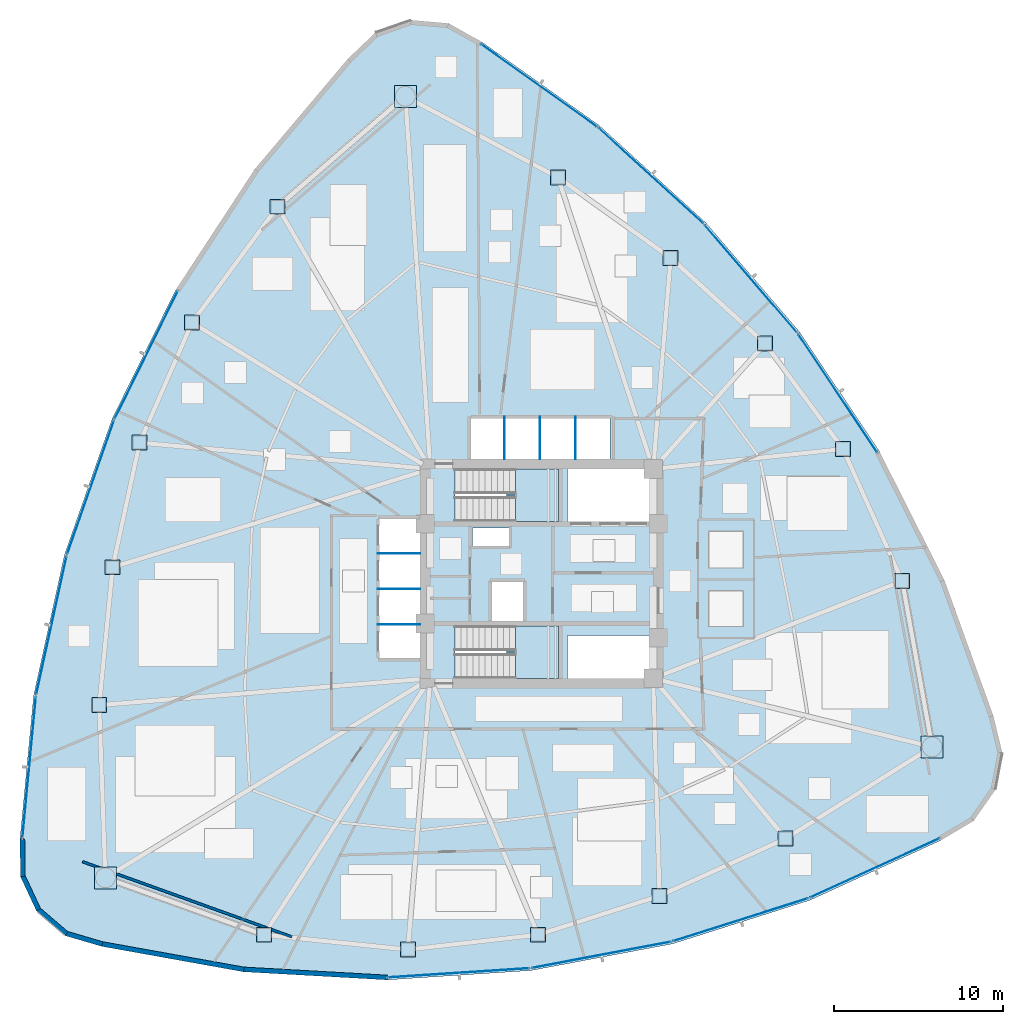
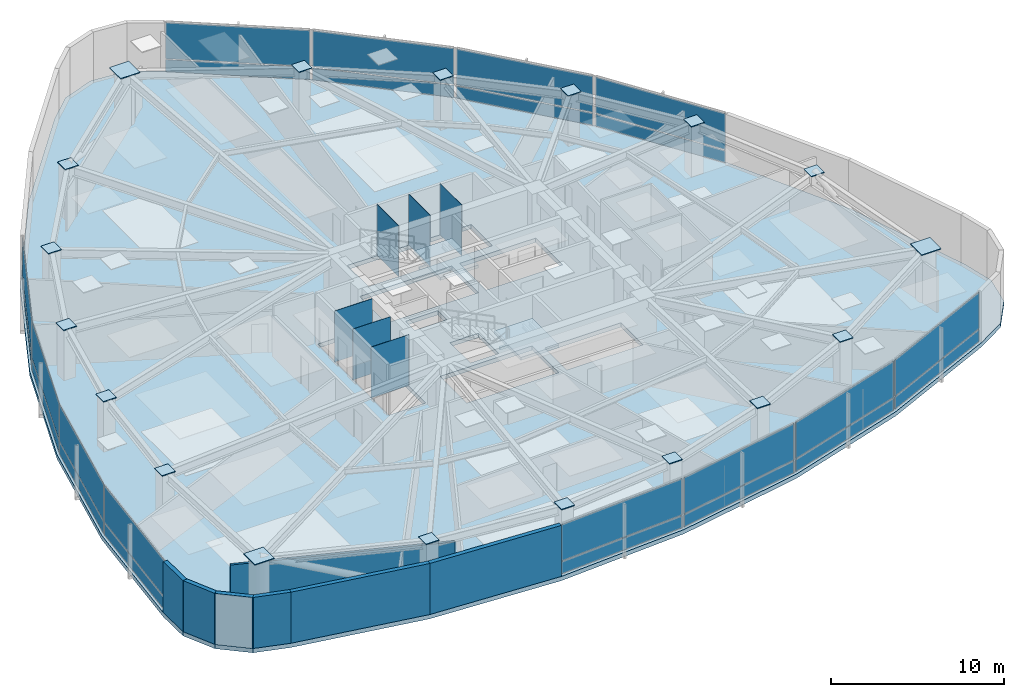
# One storey, part 11 of 18: 48 plates, 7 walls, 3 slabs, 14 elements without a shape of their own.
"""IFC4 building model written with IfcOpenShell, lengths in metres."""

import ifcopenshell
import ifcopenshell.guid

model = None  # the IFC model being written
_history = None  # IfcOwnerHistory: only IFC2X3 demands one
_inside = {}  # id of a spatial element -> (the spatial element, [elements in it])
_under = {}  # id of a project, library or spatial element -> (it, [spatial elements below it])
_declared = {}  # id of a project -> (the project, [libraries it declares])
_typed = {}  # id of a type object -> (the type object, [elements of that type])
_made_of = {}  # id of a material, layer set ... -> (it, [elements and type objects made of it])


def new_model(schema):
    """Start an empty IFC model of exactly this schema.

    Asked for "IFC4X3", IfcOpenShell would pick the latest addendum, in which some entities
    have other attributes; the version numbers below select the first issue.
    IFC2X3 requires an IfcOwnerHistory on every rooted entity: one is made here for all.
    """
    global model, _history
    if schema == "IFC4X3":
        model = ifcopenshell.file(schema_version=(4, 3, 0, 0))
    else:
        model = ifcopenshell.file(schema=schema)
    _inside.clear()
    _under.clear()
    _declared.clear()
    _typed.clear()
    _made_of.clear()
    _history = None
    if model.schema == "IFC2X3":
        org = make("IfcOrganization", Name="unknown")
        user = make(
            "IfcPersonAndOrganization",
            ThePerson=make("IfcPerson", FamilyName="unknown"),
            TheOrganization=org,
        )
        app = make(
            "IfcApplication",
            ApplicationDeveloper=org,
            Version="unknown",
            ApplicationFullName="unknown",
            ApplicationIdentifier="unknown",
        )
        _history = make(
            "IfcOwnerHistory",
            OwningUser=user,
            OwningApplication=app,
            ChangeAction="ADDED",
            CreationDate=0,
        )
    return model


def make(cls, **values):
    """One entity of the class cls with the attributes given. An attribute that is None is left unset."""
    return model.create_entity(
        cls, **{name: value for name, value in values.items() if value is not None}
    )


def rooted(cls, **values):
    """An entity with a GlobalId (a new one), such as an element, a storey or a relation."""
    return make(cls, GlobalId=ifcopenshell.guid.new(), OwnerHistory=_history, **values)


def si_unit(unit_type, name, prefix=None):
    """IfcSIUnit, for example si_unit("LENGTHUNIT", "METRE", prefix="MILLI")."""
    return make("IfcSIUnit", UnitType=unit_type, Prefix=prefix, Name=name)


def assignment(units):
    """IfcUnitAssignment: the units of a project."""
    return None if units is None else make("IfcUnitAssignment", Units=units)


def point(xyz):
    """IfcCartesianPoint."""
    return None if xyz is None else make("IfcCartesianPoint", Coordinates=xyz)


def direction(xyz):
    """IfcDirection."""
    return None if xyz is None else make("IfcDirection", DirectionRatios=xyz)


def frame(location, z_axis=None, x_axis=None):
    """IfcAxis2Placement3D, a coordinate frame: its origin and axes. An axis left out is left unset."""
    return make(
        "IfcAxis2Placement3D",
        Location=point(location),
        Axis=direction(z_axis),
        RefDirection=direction(x_axis),
    )


def frame_2d(location, x_axis=None):
    """IfcAxis2Placement2D, a coordinate frame in the plane: its origin and x axis."""
    return make(
        "IfcAxis2Placement2D", Location=point(location), RefDirection=direction(x_axis)
    )


def origin():
    """The frame at (0, 0, 0) with its axes left unset."""
    return frame((0.0, 0.0, 0.0))


def origin_2d():
    """The frame at (0, 0) in the plane with its x axis left unset."""
    return frame_2d((0.0, 0.0))


def place(relative_to, where):
    """IfcLocalPlacement: puts the frame where relative to a parent placement (None: the world)."""
    return make(
        "IfcLocalPlacement", PlacementRelTo=relative_to, RelativePlacement=where
    )


def context(
    kind, dimensions, precision=None, world=None, true_north=None, identifier=None
):
    """IfcGeometricRepresentationContext, for example the 3D "Model" context."""
    return make(
        "IfcGeometricRepresentationContext",
        ContextIdentifier=identifier,
        ContextType=kind,
        CoordinateSpaceDimension=dimensions,
        Precision=precision,
        WorldCoordinateSystem=world,
        TrueNorth=true_north,
    )


def subcontext(parent, identifier, kind, view, scale=None):
    """IfcGeometricRepresentationSubContext, for example "Body" below "Model"."""
    return make(
        "IfcGeometricRepresentationSubContext",
        ContextIdentifier=identifier,
        ContextType=kind,
        ParentContext=parent,
        TargetScale=scale,
        TargetView=view,
    )


def project(units=None, contexts=None):
    """IfcProject with its units and contexts."""
    return rooted(
        "IfcProject",
        Name="project",
        RepresentationContexts=contexts,
        UnitsInContext=assignment(units),
    )


def spatial(cls, under=None, at=None, **own):
    """A site, building, storey or space (cls), placed at a placement, below another one or the project."""
    s = rooted(cls, ObjectPlacement=at, **own)
    if under is not None:
        _under.setdefault(under.id(), (under, []))[1].append(s)
    return s


def polyline(points):
    """IfcPolyline through the points."""
    return make("IfcPolyline", Points=[point(p) for p in points])


def profile(cls, at=None, kind="AREA", **sizes):
    """A parametric profile (cls). Its sizes go by their IFC names, for example OverallWidth=200.0."""
    return make(cls, ProfileType=kind, Position=at, **sizes)


def rectangle(**sizes):
    """IfcRectangleProfileDef."""
    return profile("IfcRectangleProfileDef", **sizes)


def outline(outer, holes=None, kind="AREA"):
    """IfcArbitraryClosedProfileDef: a profile drawn as a closed curve; with holes, ...WithVoids."""
    if holes is None:
        return make("IfcArbitraryClosedProfileDef", ProfileType=kind, OuterCurve=outer)
    return make(
        "IfcArbitraryProfileDefWithVoids",
        ProfileType=kind,
        OuterCurve=outer,
        InnerCurves=holes,
    )


def extrude(swept, where, along, depth):
    """IfcExtrudedAreaSolid: the profile swept, set in the frame where, extruded along a direction by depth."""
    return make(
        "IfcExtrudedAreaSolid",
        SweptArea=swept,
        Position=where,
        ExtrudedDirection=direction(along),
        Depth=depth,
    )


def shape(context_of_items, identifier, shape_type, items):
    """IfcShapeRepresentation: the items that make up one representation, for example the "Body"."""
    return make(
        "IfcShapeRepresentation",
        ContextOfItems=context_of_items,
        RepresentationIdentifier=identifier,
        RepresentationType=shape_type,
        Items=items,
    )


def source(mapping_origin, context_of_items, identifier, shape_type, items):
    """IfcRepresentationMap: a shape defined once, which mapped items show again and again."""
    return make(
        "IfcRepresentationMap",
        MappingOrigin=mapping_origin,
        MappedRepresentation=shape(context_of_items, identifier, shape_type, items),
    )


def transform(
    local_origin,
    x_axis=None,
    y_axis=None,
    z_axis=None,
    scale=None,
    scale2=None,
    scale3=None,
    uniform=True,
):
    """IfcCartesianTransformationOperator3D, or its non-uniform kind. x_axis, y_axis, z_axis: its Axis1, 2, 3."""
    if uniform:
        return make(
            "IfcCartesianTransformationOperator3D",
            Axis1=direction(x_axis),
            Axis2=direction(y_axis),
            LocalOrigin=point(local_origin),
            Scale=scale,
            Axis3=direction(z_axis),
        )
    return make(
        "IfcCartesianTransformationOperator3DnonUniform",
        Axis1=direction(x_axis),
        Axis2=direction(y_axis),
        LocalOrigin=point(local_origin),
        Scale=scale,
        Axis3=direction(z_axis),
        Scale2=scale2,
        Scale3=scale3,
    )


def mapped(mapping_source, mapping_target):
    """IfcMappedItem: shows the shape of a source again, moved by a transform."""
    return make(
        "IfcMappedItem", MappingSource=mapping_source, MappingTarget=mapping_target
    )


def material(Name=None, Category=None):
    """IfcMaterial."""
    return make("IfcMaterial", Name=Name, Category=Category)


def layer(
    of_material, thickness, ventilated=None, Name=None, Category=None, Priority=None
):
    """IfcMaterialLayer: one layer of a wall or slab, of a material (None: an air gap)."""
    return make(
        "IfcMaterialLayer",
        Material=of_material,
        LayerThickness=thickness,
        IsVentilated=ventilated,
        Name=Name,
        Category=Category,
        Priority=Priority,
    )


def layer_set(layers, Name=None):
    """IfcMaterialLayerSet."""
    return make("IfcMaterialLayerSet", MaterialLayers=layers, LayerSetName=Name)


def made_of(thing, what):
    """Note that an element or type object is made of a material, layer set ...; save() writes the relation."""
    if what is not None:
        _made_of.setdefault(what.id(), (what, []))[1].append(thing)
    return thing


def type_object(cls, material=None, **own):
    """A type object (cls), such as IfcWallType, which elements share."""
    return made_of(rooted(cls, **own), material)


def type_shapes(of_type, sources):
    """Give a type object the sources (RepresentationMaps) that its elements show as mapped items."""
    of_type.RepresentationMaps = sources


def element(
    cls,
    number,
    at=None,
    inside=None,
    cuts=None,
    type_object=None,
    material=None,
    context=None,
    identifier="Body",
    shape_type=None,
    held_by="IfcProductDefinitionShape",
    body=None,
    shapes=None,
    **own,
):
    """One element of the class cls, such as IfcWall. Its Tag is "e" and its number.

    at: its placement. inside: the storey or other place that contains it. cuts: it is an
    opening in that element (IfcRelVoidsElement). A single representation is given by context,
    identifier, shape_type and body (its items); several are given by shapes. held_by: the class
    of the entity that holds the representations. save() writes the other relations.
    """
    e = rooted(cls, Tag="e%d" % number, ObjectPlacement=at, **own)
    if body is not None:
        shapes = [shape(context, identifier, shape_type, body)]
    if shapes is not None:
        e.Representation = make(held_by, Representations=shapes)
    if inside is not None:
        _inside.setdefault(inside.id(), (inside, []))[1].append(e)
    if cuts is not None:
        rooted(
            "IfcRelVoidsElement", RelatingBuildingElement=cuts, RelatedOpeningElement=e
        )
    if type_object is not None:
        _typed.setdefault(type_object.id(), (type_object, []))[1].append(e)
    return made_of(e, material)


def aggregate(whole, parts):
    """IfcRelAggregates: a whole, such as a stair, and the parts it consists of."""
    return rooted("IfcRelAggregates", RelatingObject=whole, RelatedObjects=parts)


def save(model, path):
    """Write the relations noted so far, then the file.

    IfcRelAggregates (storeys below a building ...), IfcRelContainedInSpatialStructure (elements
    in a storey), IfcRelDefinesByType, IfcRelAssociatesMaterial and IfcRelDeclares: one each for
    every whole, place, type object, material and project.
    """
    for whole, parts in _under.values():
        aggregate(whole, parts)
    for where, things in _inside.values():
        rooted(
            "IfcRelContainedInSpatialStructure",
            RelatedElements=things,
            RelatingStructure=where,
        )
    for kind, things in _typed.values():
        rooted("IfcRelDefinesByType", RelatedObjects=things, RelatingType=kind)
    for what, things in _made_of.values():
        rooted("IfcRelAssociatesMaterial", RelatedObjects=things, RelatingMaterial=what)
    for by, libraries in _declared.values():
        rooted("IfcRelDeclares", RelatingContext=by, RelatedDefinitions=libraries)
    model.write(path)


model = new_model("IFC4")

# Units and contexts
model_context = context("Model", 3, precision=1e-05, world=origin(), true_north=direction((0.0, 1.0)))
body_context = subcontext(model_context, "Body", "Model", "MODEL_VIEW")
ifc_project = project(units=[si_unit("LENGTHUNIT", "METRE"), si_unit("AREAUNIT", "SQUARE_METRE"), si_unit("VOLUMEUNIT", "CUBIC_METRE"), si_unit("PLANEANGLEUNIT", "RADIAN"), si_unit("MASSUNIT", "GRAM", prefix="KILO")], contexts=[model_context])

# Site, building, storey
site_placement = place(None, origin())
site = spatial("IfcSite", under=ifc_project, at=site_placement, CompositionType="ELEMENT")
building_placement = place(site_placement, origin())
building = spatial("IfcBuilding", under=site, at=building_placement, Name="Tavelor Broadcast Tower", CompositionType="ELEMENT")
storey_placement = place(building_placement, frame((0.0, 0.0, 54.89990234375)))
storey = spatial("IfcBuildingStorey", under=building, at=storey_placement, Name="L12", CompositionType="ELEMENT", Elevation=54.89990234375)

# Stair, slab
ifc_material_1 = material(Name="Concrete C40/50", Category="concrete")
stair_type = type_object("IfcStairType", Name="Reinforced Concrete Protected Dogleg Stair 1450 mm", PredefinedType="HALF_TURN_STAIR", material=ifc_material_1)
stair_1_placement = place(storey_placement, origin())
stair_1 = element("IfcStair", 1, at=stair_1_placement, inside=storey, type_object=stair_type, Name="L12 Protected Core Exit Stair ST1", PredefinedType="HALF_TURN_STAIR")
ifc_layer_1 = layer(ifc_material_1, 0.199951171875)
ifc_layer_set_1 = layer_set([ifc_layer_1], Name="Concrete C40/50")
slab_type_1 = type_object("IfcSlabType", Name="Reinforced Concrete Stair Half-Landing Slab 200 mm", PredefinedType="LANDING", material=ifc_layer_set_1)
slab_1_placement = place(storey_placement, frame((0.0, 0.0, 1.75)))
slab_1 = element("IfcSlab", 2, at=slab_1_placement, type_object=slab_type_1, Name="ST1 landing 1", PredefinedType="LANDING", context=body_context, shape_type="SweptSolid", body=[
    extrude(outline(polyline([(48.445068359375, 49.590087890625), (48.445068359375, 48.094970703125), (51.0048828125, 48.094970703125), (51.0048828125, 51.205078125), (48.445068359375, 51.205078125), (48.445068359375, 49.7099609375), (47.905029296875, 49.7099609375), (47.905029296875, 49.590087890625), (48.445068359375, 49.590087890625)])), origin(), (0.0, 0.0, 1.0), 0.2001953125),
])
aggregate(stair_1, [slab_1])

stair_2_placement = place(storey_placement, origin())
stair_2 = element("IfcStair", 3, at=stair_2_placement, inside=storey, type_object=stair_type, Name="L12 Protected Core Exit Stair ST2", PredefinedType="HALF_TURN_STAIR")
slab_2_placement = place(storey_placement, frame((0.0, 0.0, 1.75)))
slab_2 = element("IfcSlab", 4, at=slab_2_placement, type_object=slab_type_1, Name="ST2 landing 1", PredefinedType="LANDING", context=body_context, shape_type="SweptSolid", body=[
    extrude(outline(polyline([(48.445068359375, 40.2900390625), (48.445068359375, 38.794921875), (51.0048828125, 38.794921875), (51.0048828125, 41.905029296875), (48.445068359375, 41.905029296875), (48.445068359375, 40.409912109375), (47.905029296875, 40.409912109375), (47.905029296875, 40.2900390625), (48.445068359375, 40.2900390625)])), origin(), (0.0, 0.0, 1.0), 0.2001953125),
])
aggregate(stair_2, [slab_2])

# Slab
ifc_layer_2 = layer(ifc_material_1, 0.300048828125)
ifc_layer_set_2 = layer_set([ifc_layer_2], Name="Concrete C40/50")
slab_type_2 = type_object("IfcSlabType", Name="Tower Composite Floor Slab 300 mm", PredefinedType="FLOOR", material=ifc_layer_set_2)
slab_3_placement = place(storey_placement, frame((0.0, 0.0, -0.2998046875)))
element("IfcSlab", 5, at=slab_3_placement, inside=storey, type_object=slab_type_2, Name="L12 Structural Floor Slab", PredefinedType="FLOOR", context=body_context, shape_type="SweptSolid", body=[
    extrude(outline(polyline([(46.448486328125, 76.4912109375), (44.492431640625, 77.586669921875), (42.2587890625, 77.780029296875), (40.1435546875, 77.037109375), (38.521484375, 75.48974609375), (33.01611328125, 68.969482421875), (28.34033203125, 61.831298828125), (24.562744140625, 54.1796875), (21.73876953125, 46.126953125), (19.91015625, 37.791748046875), (19.103515625, 29.29638671875), (19.1328125, 27.0546875), (20.082275390625, 25.023681640625), (21.783203125, 23.563232421875), (23.934326171875, 22.93212890625), (32.33349609375, 21.42431640625), (40.853515625, 20.944091796875), (49.368896484375, 21.49853515625), (57.754638671875, 23.079345703125), (65.887451171875, 25.6630859375), (73.647705078125, 29.21240234375), (75.57470703125, 30.358642578125), (76.85888671875, 32.1962890625), (77.273193359375, 34.399658203125), (76.744140625, 36.578125), (73.850341796875, 44.60595703125), (70.006103515625, 52.224609375), (65.268310546875, 59.322021484375), (59.70654296875, 65.793701171875), (53.40234375, 71.544921875), (46.448486328125, 76.4912109375)]), holes=[polyline([(56.60009765625, 38.800048828125), (51.52001953125, 38.800048828125), (51.52001953125, 41.35009765625), (56.60009765625, 41.35009765625), (56.60009765625, 38.800048828125)]), polyline([(50.99609375, 38.803955078125), (44.85400390625, 38.803955078125), (44.85400390625, 41.89599609375), (50.99609375, 41.89599609375), (50.99609375, 38.803955078125)]), polyline([(47.050048828125, 42.199951171875), (47.050048828125, 44.550048828125), (48.949951171875, 44.550048828125), (48.949951171875, 42.199951171875), (47.050048828125, 42.199951171875)]), polyline([(40.35009765625, 40.0), (40.35009765625, 48.25), (42.800048828125, 48.25), (42.800048828125, 40.0), (40.35009765625, 40.0)]), polyline([(48.050048828125, 46.64990234375), (45.89990234375, 46.64990234375), (45.89990234375, 47.699951171875), (48.050048828125, 47.699951171875), (48.050048828125, 46.64990234375)]), polyline([(50.99609375, 48.10400390625), (44.85400390625, 48.10400390625), (44.85400390625, 51.196044921875), (50.99609375, 51.196044921875), (50.99609375, 48.10400390625)]), polyline([(56.60009765625, 48.10009765625), (51.52001953125, 48.10009765625), (51.52001953125, 51.199951171875), (56.60009765625, 51.199951171875), (56.60009765625, 48.10009765625)]), polyline([(54.050048828125, 51.800048828125), (45.800048828125, 51.800048828125), (45.800048828125, 54.25), (54.050048828125, 54.25), (54.050048828125, 51.800048828125)])]), origin(), (0.0, 0.0, 1.0), 0.2998046875),
])

# Plates
ifc_material_2 = material(Name="Steel S460", Category="steel")
ifc_layer_3 = layer(ifc_material_2, 0.050048828125)
ifc_layer_set_3 = layer_set([ifc_layer_3], Name="Steel S460")
plate_type_1 = type_object("IfcPlateType", Name="Tube Hollow-End Cap Plate KN05 700x700x50", PredefinedType="USERDEFINED", material=ifc_layer_set_3)
shared_shape_1 = source(origin(), body_context, "Body", "SweptSolid", [
    extrude(rectangle(XDim=1.299072265625, YDim=1.299072265625, at=origin_2d()), origin(), (0.0, 0.0, 1.0), 0.054931640625),
])
for number, where, z_axis, x_axis, name in (
    (6, (41.923095703125, 73.266357421875, 3.57275390625), (0.0, 0.0, 1.0), (1.0, 0.0, 0.0), "L12 Hollow End Cap Plate KN05 #400"),
    (7, (24.1591796875, 26.98974609375, 3.57275390625), (0.0, 0.0, 1.0), (1.0, 0.0, 0.0), "L12 Hollow End Cap Plate KN05 #406"),
    (8, (73.117919921875, 34.743896484375, 3.57275390625), (0.0, 0.0, 1.0), (1.0, 0.0, 0.0), "L12 Hollow End Cap Plate KN05 #412"),
):
    element("IfcPlate", number, at=place(storey_placement, frame(where, z_axis=z_axis, x_axis=x_axis)), inside=storey, type_object=plate_type_1, Name=name, ObjectType="CAP PLATE", PredefinedType="USERDEFINED", context=body_context, shape_type="MappedRepresentation", body=[
        mapped(shared_shape_1, transform((0.0, 0.0, 0.0), scale=1.0)),
    ])
shared_shape_2 = source(origin(), body_context, "Body", "SweptSolid", [
    extrude(rectangle(XDim=0.8798828125, YDim=0.8798828125, at=origin_2d()), origin(), (0.0, 0.0, 1.0), 0.054931640625),
])
type_shapes(plate_type_1, [shared_shape_1, shared_shape_2])
for number, where, z_axis, x_axis, name in (
    (9, (34.356201171875, 66.727783203125, 3.57275390625), (0.0, 0.0, 1.0), (1.0, 0.0, 0.0), "L12 Hollow End Cap Plate KN05 #401"),
    (10, (29.292236328125, 59.87158203125, 3.57275390625), (0.0, 0.0, 1.0), (1.0, 0.0, 0.0), "L12 Hollow End Cap Plate KN05 #402"),
    (11, (26.189208984375, 52.75830078125, 3.57275390625), (0.0, 0.0, 1.0), (1.0, 0.0, 0.0), "L12 Hollow End Cap Plate KN05 #403"),
    (12, (24.58984375, 45.380615234375, 3.57275390625), (0.0, 0.0, 1.0), (1.0, 0.0, 0.0), "L12 Hollow End Cap Plate KN05 #404"),
    (13, (23.794677734375, 37.21630859375, 3.57275390625), (0.0, 0.0, 1.0), (1.0, 0.0, 0.0), "L12 Hollow End Cap Plate KN05 #405"),
    (14, (33.55078125, 23.615478515625, 3.57275390625), (0.0, 0.0, 1.0), (1.0, 0.0, 0.0), "L12 Hollow End Cap Plate KN05 #407"),
    (15, (42.0732421875, 22.740478515625, 3.57275390625), (0.0, 0.0, 1.0), (1.0, 0.0, 0.0), "L12 Hollow End Cap Plate KN05 #408"),
    (16, (49.78662109375, 23.617919921875, 3.57275390625), (0.0, 0.0, 1.0), (1.0, 0.0, 0.0), "L12 Hollow End Cap Plate KN05 #409"),
    (17, (56.975341796875, 25.92138671875, 3.57275390625), (0.0, 0.0, 1.0), (1.0, 0.0, 0.0), "L12 Hollow End Cap Plate KN05 #410"),
    (18, (64.443603515625, 29.31494140625, 3.57275390625), (0.0, 0.0, 1.0), (1.0, 0.0, 0.0), "L12 Hollow End Cap Plate KN05 #411"),
    (19, (71.343994140625, 44.564697265625, 3.57275390625), (0.0, 0.0, 1.0), (1.0, 0.0, 0.0), "L12 Hollow End Cap Plate KN05 #413"),
    (20, (67.8408203125, 52.382568359375, 3.57275390625), (0.0, 0.0, 1.0), (1.0, 0.0, 0.0), "L12 Hollow End Cap Plate KN05 #414"),
    (21, (63.22412109375, 58.623779296875, 3.57275390625), (0.0, 0.0, 1.0), (1.0, 0.0, 0.0), "L12 Hollow End Cap Plate KN05 #415"),
    (22, (57.634765625, 63.69775390625, 3.57275390625), (0.0, 0.0, 1.0), (1.0, 0.0, 0.0), "L12 Hollow End Cap Plate KN05 #416"),
    (23, (50.9619140625, 68.468505859375, 3.57275390625), (0.0, 0.0, 1.0), (1.0, 0.0, 0.0), "L12 Hollow End Cap Plate KN05 #417"),
):
    element("IfcPlate", number, at=place(storey_placement, frame(where, z_axis=z_axis, x_axis=x_axis)), inside=storey, type_object=plate_type_1, Name=name, ObjectType="CAP PLATE", PredefinedType="USERDEFINED", context=body_context, shape_type="MappedRepresentation", body=[
        mapped(shared_shape_2, transform((0.0, 0.0, 0.0), scale=1.0)),
    ])
ifc_material_3 = material(Name="Steel S355", Category="steel")
ifc_layer_4 = layer(ifc_material_3, 0.011962890625)
ifc_layer_set_4 = layer_set([ifc_layer_4], Name="Steel S355")
plate_type_2 = type_object("IfcPlateType", Name="Hoistway Steel Separator Screen 12 mm", PredefinedType="SHEET", material=ifc_layer_set_4)
shared_shape_3 = source(origin(), body_context, "Body", "SweptSolid", [
    extrude(rectangle(XDim=2.52001953125, YDim=0.02001953125, at=origin_2d()), origin(), (0.0, 0.0, 1.0), 3.60009765625),
])
for number, where, z_axis, x_axis, name in (
    (24, (41.56005859375, 42.0, 0.0), (0.0, 0.0, 1.0), (1.0, 0.0, 0.0), "L12 Low-Rise Hoistway Separator Screen 1"),
    (25, (41.56005859375, 44.10009765625, 0.0), (0.0, 0.0, 1.0), (1.0, 0.0, 0.0), "L12 Low-Rise Hoistway Separator Screen 2"),
    (26, (41.56005859375, 46.199951171875, 0.0), (0.0, 0.0, 1.0), (1.0, 0.0, 0.0), "L12 Low-Rise Hoistway Separator Screen 3"),
):
    element("IfcPlate", number, at=place(storey_placement, frame(where, z_axis=z_axis, x_axis=x_axis)), inside=storey, type_object=plate_type_2, Name=name, PredefinedType="SHEET", context=body_context, shape_type="MappedRepresentation", body=[
        mapped(shared_shape_3, transform((0.0, 0.0, 0.0), scale=1.0)),
    ])
shared_shape_4 = source(origin(), body_context, "Body", "SweptSolid", [
    extrude(rectangle(XDim=0.02001953125, YDim=2.52001953125, at=origin_2d()), origin(), (0.0, 0.0, 1.0), 3.60009765625),
])
type_shapes(plate_type_2, [shared_shape_3, shared_shape_4])
for number, where, z_axis, x_axis, name in (
    (27, (47.800048828125, 53.0400390625, 0.0), (0.0, 0.0, 1.0), (1.0, 0.0, 0.0), "L12 High-Rise Hoistway Separator Screen 1"),
    (28, (49.89990234375, 53.0400390625, 0.0), (0.0, 0.0, 1.0), (1.0, 0.0, 0.0), "L12 High-Rise Hoistway Separator Screen 2"),
    (29, (52.0, 53.0400390625, 0.0), (0.0, 0.0, 1.0), (1.0, 0.0, 0.0), "L12 High-Rise Hoistway Separator Screen 3"),
):
    element("IfcPlate", number, at=place(storey_placement, frame(where, z_axis=z_axis, x_axis=x_axis)), inside=storey, type_object=plate_type_2, Name=name, PredefinedType="SHEET", context=body_context, shape_type="MappedRepresentation", body=[
        mapped(shared_shape_4, transform((0.0, 0.0, 0.0), scale=1.0)),
    ])

# Curtain wall, plate
ifc_material_4 = material(Name="Architectural Anodized Aluminium", Category="aluminium")
ifc_layer_5 = layer(ifc_material_4, 0.179931640625)
ifc_layer_set_5 = layer_set([ifc_layer_5], Name="Architectural Anodized Aluminium")
curtain_wall_type = type_object("IfcCurtainWallType", Name="Tower Low-Zone Unitised Curtain Wall CW02", PredefinedType="NOTDEFINED", material=ifc_layer_set_5)
curtain_wall_1_placement = place(storey_placement, origin())
curtain_wall_1 = element("IfcCurtainWall", 30, at=curtain_wall_1_placement, inside=storey, type_object=curtain_wall_type, Name="L12 Curtain Wall CW02 Run 100", PredefinedType="NOTDEFINED")
ifc_material_5 = material(Name="Acoustic Double Glazing 28 mm", Category="glass")
ifc_layer_6 = layer(ifc_material_5, 0.028076171875)
ifc_layer_set_6 = layer_set([ifc_layer_6], Name="Acoustic Double Glazing 28 mm")
plate_type_3 = type_object("IfcPlateType", Name="CW02 Insulated Vision Glazing Panel 28 mm", PredefinedType="CURTAIN_PANEL", material=ifc_layer_set_6)
shared_shape_5 = source(origin(), body_context, "Body", "SweptSolid", [
    extrude(rectangle(XDim=8.372314453125, YDim=0.028076171875, at=origin_2d()), origin(), (0.0, 0.0, 1.0), 0.8525390625),
])
plate_1_placement = place(storey_placement, frame((19.6455078125, 33.52294921875, 0.065185546875), z_axis=(0.0, 0.0, 1.0), x_axis=(-0.094514920377, -0.995523445141, 0.0)))
plate_1 = element("IfcPlate", 31, at=plate_1_placement, type_object=plate_type_3, Name="CW02 panel 1.1", PredefinedType="CURTAIN_PANEL", context=body_context, shape_type="MappedRepresentation", body=[
    mapped(shared_shape_5, transform((0.0, 0.0, 0.0), scale=1.0)),
])

curtain_wall_2_placement = place(storey_placement, origin())
curtain_wall_2 = element("IfcCurtainWall", 32, at=curtain_wall_2_placement, inside=storey, type_object=curtain_wall_type, Name="L12 Curtain Wall CW02 Run 104", PredefinedType="NOTDEFINED")
plate_2_placement = place(storey_placement, frame((69.716552734375, 27.568359375, 0.065185546875), z_axis=(0.0, 0.0, 1.0), x_axis=(0.90940661082, 0.415908182412, 0.0)))
plate_2 = element("IfcPlate", 33, at=plate_2_placement, type_object=plate_type_3, Name="CW02 panel 1.1", PredefinedType="CURTAIN_PANEL", context=body_context, shape_type="MappedRepresentation", body=[
    mapped(shared_shape_5, transform((0.0, 0.0, 0.0), scale=1.0)),
])

curtain_wall_3_placement = place(storey_placement, origin())
curtain_wall_3 = element("IfcCurtainWall", 34, at=curtain_wall_3_placement, inside=storey, type_object=curtain_wall_type, Name="L12 Curtain Wall CW02 Run 108", PredefinedType="NOTDEFINED")
plate_3_placement = place(storey_placement, frame((49.837890625, 73.90869140625, 0.065185546875), z_axis=(0.0, 0.0, 1.0), x_axis=(-0.814884958783, 0.579622725529, 0.0)))
plate_3 = element("IfcPlate", 35, at=plate_3_placement, type_object=plate_type_3, Name="CW02 panel 1.1", PredefinedType="CURTAIN_PANEL", context=body_context, shape_type="MappedRepresentation", body=[
    mapped(shared_shape_5, transform((0.0, 0.0, 0.0), scale=1.0)),
])

# Plate
shared_shape_6 = source(origin(), body_context, "Body", "SweptSolid", [
    extrude(rectangle(XDim=8.372314453125, YDim=0.028076171875, at=origin_2d()), origin(), (0.0, 0.0, 1.0), 2.552490234375),
])
plate_4_placement = place(storey_placement, frame((19.6455078125, 33.52294921875, 0.982421875), z_axis=(0.0, 0.0, 1.0), x_axis=(-0.094514920377, -0.995523445141, 0.0)))
plate_4 = element("IfcPlate", 36, at=plate_4_placement, type_object=plate_type_3, Name="CW02 panel 1.2", PredefinedType="CURTAIN_PANEL", context=body_context, shape_type="MappedRepresentation", body=[
    mapped(shared_shape_6, transform((0.0, 0.0, 0.0), scale=1.0)),
])

aggregate(curtain_wall_1, [plate_1, plate_4])

plate_5_placement = place(storey_placement, frame((69.716552734375, 27.568359375, 0.982421875), z_axis=(0.0, 0.0, 1.0), x_axis=(0.90940661082, 0.415908182412, 0.0)))
plate_5 = element("IfcPlate", 37, at=plate_5_placement, type_object=plate_type_3, Name="CW02 panel 1.2", PredefinedType="CURTAIN_PANEL", context=body_context, shape_type="MappedRepresentation", body=[
    mapped(shared_shape_6, transform((0.0, 0.0, 0.0), scale=1.0)),
])

aggregate(curtain_wall_2, [plate_2, plate_5])

plate_6_placement = place(storey_placement, frame((49.837890625, 73.90869140625, 0.982421875), z_axis=(0.0, 0.0, 1.0), x_axis=(-0.814884958783, 0.579622725529, 0.0)))
plate_6 = element("IfcPlate", 38, at=plate_6_placement, type_object=plate_type_3, Name="CW02 panel 1.2", PredefinedType="CURTAIN_PANEL", context=body_context, shape_type="MappedRepresentation", body=[
    mapped(shared_shape_6, transform((0.0, 0.0, 0.0), scale=1.0)),
])

aggregate(curtain_wall_3, [plate_3, plate_6])

# Curtain wall, plate
curtain_wall_4_placement = place(storey_placement, origin())
curtain_wall_4 = element("IfcCurtainWall", 39, at=curtain_wall_4_placement, inside=storey, type_object=curtain_wall_type, Name="L12 Curtain Wall CW02 Run 97", PredefinedType="NOTDEFINED")
shared_shape_7 = source(origin(), body_context, "Body", "SweptSolid", [
    extrude(rectangle(XDim=8.371337890625, YDim=0.028076171875, at=origin_2d()), origin(), (0.0, 0.0, 1.0), 0.8525390625),
])
plate_7_placement = place(storey_placement, frame((26.580322265625, 57.9501953125, 0.065185546875), z_axis=(0.0, 0.0, 1.0), x_axis=(-0.442690997843, -0.896674233169, 0.0)))
plate_7 = element("IfcPlate", 40, at=plate_7_placement, type_object=plate_type_3, Name="CW02 panel 1.1", PredefinedType="CURTAIN_PANEL", context=body_context, shape_type="MappedRepresentation", body=[
    mapped(shared_shape_7, transform((0.0, 0.0, 0.0), scale=1.0)),
])

curtain_wall_5_placement = place(storey_placement, origin())
curtain_wall_5 = element("IfcCurtainWall", 41, at=curtain_wall_5_placement, inside=storey, type_object=curtain_wall_type, Name="L12 Curtain Wall CW02 Run 101", PredefinedType="NOTDEFINED")
plate_8_placement = place(storey_placement, frame((45.0947265625, 21.360595703125, 0.065185546875), z_axis=(0.0, 0.0, 1.0), x_axis=(0.997887522422, 0.064965318395, 0.0)))
plate_8 = element("IfcPlate", 42, at=plate_8_placement, type_object=plate_type_3, Name="CW02 panel 1.1", PredefinedType="CURTAIN_PANEL", context=body_context, shape_type="MappedRepresentation", body=[
    mapped(shared_shape_7, transform((0.0, 0.0, 0.0), scale=1.0)),
])

curtain_wall_6_placement = place(storey_placement, origin())
curtain_wall_6 = element("IfcCurtainWall", 43, at=curtain_wall_6_placement, inside=storey, type_object=curtain_wall_type, Name="L12 Curtain Wall CW02 Run 105", PredefinedType="NOTDEFINED")
plate_9_placement = place(storey_placement, frame((67.52490234375, 55.689208984375, 0.065185546875), z_axis=(0.0, 0.0, 1.0), x_axis=(-0.555199558732, 0.831717169466, 0.0)))
plate_9 = element("IfcPlate", 44, at=plate_9_placement, type_object=plate_type_3, Name="CW02 panel 1.1", PredefinedType="CURTAIN_PANEL", context=body_context, shape_type="MappedRepresentation", body=[
    mapped(shared_shape_7, transform((0.0, 0.0, 0.0), scale=1.0)),
])

# Plate
shared_shape_8 = source(origin(), body_context, "Body", "SweptSolid", [
    extrude(rectangle(XDim=8.371337890625, YDim=0.028076171875, at=origin_2d()), origin(), (0.0, 0.0, 1.0), 2.552490234375),
])
plate_10_placement = place(storey_placement, frame((26.580322265625, 57.9501953125, 0.982421875), z_axis=(0.0, 0.0, 1.0), x_axis=(-0.442690997843, -0.896674233169, 0.0)))
plate_10 = element("IfcPlate", 45, at=plate_10_placement, type_object=plate_type_3, Name="CW02 panel 1.2", PredefinedType="CURTAIN_PANEL", context=body_context, shape_type="MappedRepresentation", body=[
    mapped(shared_shape_8, transform((0.0, 0.0, 0.0), scale=1.0)),
])

aggregate(curtain_wall_4, [plate_7, plate_10])

plate_11_placement = place(storey_placement, frame((45.0947265625, 21.360595703125, 0.982421875), z_axis=(0.0, 0.0, 1.0), x_axis=(0.997887522422, 0.064965318395, 0.0)))
plate_11 = element("IfcPlate", 46, at=plate_11_placement, type_object=plate_type_3, Name="CW02 panel 1.2", PredefinedType="CURTAIN_PANEL", context=body_context, shape_type="MappedRepresentation", body=[
    mapped(shared_shape_8, transform((0.0, 0.0, 0.0), scale=1.0)),
])

aggregate(curtain_wall_5, [plate_8, plate_11])

plate_12_placement = place(storey_placement, frame((67.52490234375, 55.689208984375, 0.982421875), z_axis=(0.0, 0.0, 1.0), x_axis=(-0.555199558732, 0.831717169466, 0.0)))
plate_12 = element("IfcPlate", 47, at=plate_12_placement, type_object=plate_type_3, Name="CW02 panel 1.2", PredefinedType="CURTAIN_PANEL", context=body_context, shape_type="MappedRepresentation", body=[
    mapped(shared_shape_8, transform((0.0, 0.0, 0.0), scale=1.0)),
])

aggregate(curtain_wall_6, [plate_9, plate_12])

# Curtain wall, plate
curtain_wall_7_placement = place(storey_placement, origin())
curtain_wall_7 = element("IfcCurtainWall", 48, at=curtain_wall_7_placement, inside=storey, type_object=curtain_wall_type, Name="L12 Curtain Wall CW02 Run 98", PredefinedType="NOTDEFINED")
shared_shape_9 = source(origin(), body_context, "Body", "SweptSolid", [
    extrude(rectangle(XDim=8.3564453125, YDim=0.028076171875, at=origin_2d()), origin(), (0.0, 0.0, 1.0), 0.8525390625),
])
plate_13_placement = place(storey_placement, frame((23.282958984375, 50.10693359375, 0.065185546875), z_axis=(0.0, 0.0, 1.0), x_axis=(-0.330913029609, -0.943661256403, 0.0)))
plate_13 = element("IfcPlate", 49, at=plate_13_placement, type_object=plate_type_3, Name="CW02 panel 1.1", PredefinedType="CURTAIN_PANEL", context=body_context, shape_type="MappedRepresentation", body=[
    mapped(shared_shape_9, transform((0.0, 0.0, 0.0), scale=1.0)),
])

curtain_wall_8_placement = place(storey_placement, origin())
curtain_wall_8 = element("IfcCurtainWall", 50, at=curtain_wall_8_placement, inside=storey, type_object=curtain_wall_type, Name="L12 Curtain Wall CW02 Run 99", PredefinedType="NOTDEFINED")
plate_14_placement = place(storey_placement, frame((20.961181640625, 41.92919921875, 0.065185546875), z_axis=(0.0, 0.0, 1.0), x_axis=(-0.214297067724, -0.97676853285, 0.0)))
plate_14 = element("IfcPlate", 51, at=plate_14_placement, type_object=plate_type_3, Name="CW02 panel 1.1", PredefinedType="CURTAIN_PANEL", context=body_context, shape_type="MappedRepresentation", body=[
    mapped(shared_shape_9, transform((0.0, 0.0, 0.0), scale=1.0)),
])

curtain_wall_9_placement = place(storey_placement, origin())
curtain_wall_9 = element("IfcCurtainWall", 52, at=curtain_wall_9_placement, inside=storey, type_object=curtain_wall_type, Name="L12 Curtain Wall CW02 Run 102", PredefinedType="NOTDEFINED")
plate_15_placement = place(storey_placement, frame((53.535888671875, 22.426513671875, 0.065185546875), z_axis=(0.0, 0.0, 1.0), x_axis=(0.982694044288, 0.185236106957, 0.0)))
plate_15 = element("IfcPlate", 53, at=plate_15_placement, type_object=plate_type_3, Name="CW02 panel 1.1", PredefinedType="CURTAIN_PANEL", context=body_context, shape_type="MappedRepresentation", body=[
    mapped(shared_shape_9, transform((0.0, 0.0, 0.0), scale=1.0)),
])

curtain_wall_10_placement = place(storey_placement, origin())
curtain_wall_10 = element("IfcCurtainWall", 54, at=curtain_wall_10_placement, inside=storey, type_object=curtain_wall_type, Name="L12 Curtain Wall CW02 Run 103", PredefinedType="NOTDEFINED")
plate_16_placement = place(storey_placement, frame((61.77880859375, 24.504638671875, 0.065185546875), z_axis=(0.0, 0.0, 1.0), x_axis=(0.953053523631, 0.302801884231, 0.0)))
plate_16 = element("IfcPlate", 55, at=plate_16_placement, type_object=plate_type_3, Name="CW02 panel 1.1", PredefinedType="CURTAIN_PANEL", context=body_context, shape_type="MappedRepresentation", body=[
    mapped(shared_shape_9, transform((0.0, 0.0, 0.0), scale=1.0)),
])

curtain_wall_11_placement = place(storey_placement, origin())
curtain_wall_11 = element("IfcCurtainWall", 56, at=curtain_wall_11_placement, inside=storey, type_object=curtain_wall_type, Name="L12 Curtain Wall CW02 Run 106", PredefinedType="NOTDEFINED")
plate_17_placement = place(storey_placement, frame((62.38134765625, 62.466552734375, 0.065185546875), z_axis=(0.0, 0.0, 1.0), x_axis=(-0.651779663493, 0.758408379606, 0.0)))
plate_17 = element("IfcPlate", 57, at=plate_17_placement, type_object=plate_type_3, Name="CW02 panel 1.1", PredefinedType="CURTAIN_PANEL", context=body_context, shape_type="MappedRepresentation", body=[
    mapped(shared_shape_9, transform((0.0, 0.0, 0.0), scale=1.0)),
])

curtain_wall_12_placement = place(storey_placement, origin())
curtain_wall_12 = element("IfcCurtainWall", 58, at=curtain_wall_12_placement, inside=storey, type_object=curtain_wall_type, Name="L12 Curtain Wall CW02 Run 107", PredefinedType="NOTDEFINED")
plate_18_placement = place(storey_placement, frame((56.460205078125, 68.56591796875, 0.065185546875), z_axis=(0.0, 0.0, 1.0), x_axis=(-0.738763245635, 0.673965033885, 0.0)))
plate_18 = element("IfcPlate", 59, at=plate_18_placement, type_object=plate_type_3, Name="CW02 panel 1.1", PredefinedType="CURTAIN_PANEL", context=body_context, shape_type="MappedRepresentation", body=[
    mapped(shared_shape_9, transform((0.0, 0.0, 0.0), scale=1.0)),
])

# Plate
shared_shape_10 = source(origin(), body_context, "Body", "SweptSolid", [
    extrude(rectangle(XDim=8.3564453125, YDim=0.028076171875, at=origin_2d()), origin(), (0.0, 0.0, 1.0), 2.552490234375),
])
type_shapes(plate_type_3, [shared_shape_5, shared_shape_6, shared_shape_7, shared_shape_8, shared_shape_9, shared_shape_10])
plate_19_placement = place(storey_placement, frame((23.282958984375, 50.10693359375, 0.982421875), z_axis=(0.0, 0.0, 1.0), x_axis=(-0.330913029609, -0.943661256403, 0.0)))
plate_19 = element("IfcPlate", 60, at=plate_19_placement, type_object=plate_type_3, Name="CW02 panel 1.2", PredefinedType="CURTAIN_PANEL", context=body_context, shape_type="MappedRepresentation", body=[
    mapped(shared_shape_10, transform((0.0, 0.0, 0.0), scale=1.0)),
])

aggregate(curtain_wall_7, [plate_13, plate_19])

plate_20_placement = place(storey_placement, frame((20.961181640625, 41.92919921875, 0.982421875), z_axis=(0.0, 0.0, 1.0), x_axis=(-0.214297067724, -0.97676853285, 0.0)))
plate_20 = element("IfcPlate", 61, at=plate_20_placement, type_object=plate_type_3, Name="CW02 panel 1.2", PredefinedType="CURTAIN_PANEL", context=body_context, shape_type="MappedRepresentation", body=[
    mapped(shared_shape_10, transform((0.0, 0.0, 0.0), scale=1.0)),
])

aggregate(curtain_wall_8, [plate_14, plate_20])

plate_21_placement = place(storey_placement, frame((53.535888671875, 22.426513671875, 0.982421875), z_axis=(0.0, 0.0, 1.0), x_axis=(0.982694044288, 0.185236106957, 0.0)))
plate_21 = element("IfcPlate", 62, at=plate_21_placement, type_object=plate_type_3, Name="CW02 panel 1.2", PredefinedType="CURTAIN_PANEL", context=body_context, shape_type="MappedRepresentation", body=[
    mapped(shared_shape_10, transform((0.0, 0.0, 0.0), scale=1.0)),
])

aggregate(curtain_wall_9, [plate_15, plate_21])

plate_22_placement = place(storey_placement, frame((61.77880859375, 24.504638671875, 0.982421875), z_axis=(0.0, 0.0, 1.0), x_axis=(0.953053523631, 0.302801884231, 0.0)))
plate_22 = element("IfcPlate", 63, at=plate_22_placement, type_object=plate_type_3, Name="CW02 panel 1.2", PredefinedType="CURTAIN_PANEL", context=body_context, shape_type="MappedRepresentation", body=[
    mapped(shared_shape_10, transform((0.0, 0.0, 0.0), scale=1.0)),
])

aggregate(curtain_wall_10, [plate_16, plate_22])

plate_23_placement = place(storey_placement, frame((62.38134765625, 62.466552734375, 0.982421875), z_axis=(0.0, 0.0, 1.0), x_axis=(-0.651779663493, 0.758408379606, 0.0)))
plate_23 = element("IfcPlate", 64, at=plate_23_placement, type_object=plate_type_3, Name="CW02 panel 1.2", PredefinedType="CURTAIN_PANEL", context=body_context, shape_type="MappedRepresentation", body=[
    mapped(shared_shape_10, transform((0.0, 0.0, 0.0), scale=1.0)),
])

aggregate(curtain_wall_11, [plate_17, plate_23])

plate_24_placement = place(storey_placement, frame((56.460205078125, 68.56591796875, 0.982421875), z_axis=(0.0, 0.0, 1.0), x_axis=(-0.738763245635, 0.673965033885, 0.0)))
plate_24 = element("IfcPlate", 65, at=plate_24_placement, type_object=plate_type_3, Name="CW02 panel 1.2", PredefinedType="CURTAIN_PANEL", context=body_context, shape_type="MappedRepresentation", body=[
    mapped(shared_shape_10, transform((0.0, 0.0, 0.0), scale=1.0)),
])

aggregate(curtain_wall_12, [plate_18, plate_24])

# Walls
ifc_material_6 = material(Name="Precast Concrete C40/50", Category="concrete")
ifc_layer_7 = layer(ifc_material_6, 0.280029296875)
ifc_layer_set_7 = layer_set([ifc_layer_7], Name="Precast Concrete C40/50")
wall_type_1 = type_object("IfcWallType", Name="Insulated Precast Terracotta Facade Wall 280 mm", PredefinedType="STANDARD", material=ifc_layer_set_7)
wall_1_placement = place(storey_placement, frame((19.24365234375, 29.294921875, 0.0), z_axis=(0.0, 0.0, 1.0), x_axis=(0.013067190847, -0.999914620617, 0.0)))
element("IfcWall", 66, at=wall_1_placement, inside=storey, type_object=wall_type_1, Name="L12 Rounded Corner Structural Cladding Pier 11", PredefinedType="STANDARD", context=body_context, shape_type="SweptSolid", body=[
    extrude(rectangle(XDim=2.223388671875, YDim=0.280029296875, at=frame_2d((1.11181640625, 0.0))), origin(), (0.0, 0.0, 1.0), 3.60009765625),
])
for number, where, z_axis, x_axis, name in (
    (67, (19.26611328125, 27.100341796875, 0.0), (0.0, 0.0, 1.0), (0.42343529611, -0.905926349108, 0.0), "L12 Rounded Corner Structural Cladding Pier 12"),
    (68, (20.184814453125, 25.1201171875, 0.0), (0.0, 0.0, 1.0), (0.758664114345, -0.651481973354, 0.0), "L12 Rounded Corner Structural Cladding Pier 13"),
):
    element("IfcWall", number, at=place(storey_placement, frame(where, z_axis=z_axis, x_axis=x_axis)), inside=storey, type_object=wall_type_1, Name=name, PredefinedType="STANDARD", context=body_context, shape_type="SweptSolid", body=[
        extrude(rectangle(XDim=2.211669921875, YDim=0.280029296875, at=frame_2d((1.10595703125, 0.0))), origin(), (0.0, 0.0, 1.0), 3.60009765625),
    ])
wall_2_placement = place(storey_placement, frame((21.8369140625, 23.693359375, 0.0), z_axis=(0.0, 0.0, 1.0), x_axis=(0.959541039843, -0.281568806613, 0.0)))
element("IfcWall", 69, at=wall_2_placement, inside=storey, type_object=wall_type_1, Name="L12 Rounded Corner Structural Cladding Pier 14", PredefinedType="STANDARD", context=body_context, shape_type="SweptSolid", body=[
    extrude(rectangle(XDim=2.234375, YDim=0.280029296875, at=frame_2d((1.1171875, 0.0))), origin(), (0.0, 0.0, 1.0), 3.60009765625),
])
wall_3_placement = place(storey_placement, frame((23.951904296875, 23.0712890625, 0.0), z_axis=(0.0, 0.0, 1.0), x_axis=(0.984265985103, -0.176693153714, 0.0)))
element("IfcWall", 70, at=wall_3_placement, inside=storey, type_object=wall_type_1, Name="L12 Rounded Corner Structural Cladding Pier 15", PredefinedType="STANDARD", context=body_context, shape_type="SweptSolid", body=[
    extrude(rectangle(XDim=8.54736328125, YDim=0.280029296875, at=frame_2d((4.273681640625, 0.0))), origin(), (0.0, 0.0, 1.0), 3.60009765625),
])
wall_4_placement = place(storey_placement, frame((32.3349609375, 21.564453125, 0.0), z_axis=(0.0, 0.0, 1.0), x_axis=(0.998416034421, -0.05626208502, 0.0)))
element("IfcWall", 71, at=wall_4_placement, inside=storey, type_object=wall_type_1, Name="L12 Rounded Corner Structural Cladding Pier 16", PredefinedType="STANDARD", context=body_context, shape_type="SweptSolid", body=[
    extrude(rectangle(XDim=8.535400390625, YDim=0.280029296875, at=frame_2d((4.267578125, 0.0))), origin(), (0.0, 0.0, 1.0), 3.60009765625),
])
ifc_material_7 = material(Name="Gypsum Acoustic Plasterboard 150 mm", Category="gypsum")
ifc_layer_8 = layer(ifc_material_7, 0.14990234375)
ifc_layer_set_8 = layer_set([ifc_layer_8], Name="Gypsum Acoustic Plasterboard 150 mm")
wall_type_2 = type_object("IfcWallType", Name="Interior Acoustic Partition Wall 150 mm", PredefinedType="PARTITIONING", material=ifc_layer_set_8)
wall_5_placement = place(storey_placement, frame((22.802001953125, 27.94482421875, 0.0), z_axis=(0.0, 0.0, 1.0), x_axis=(0.941102349209, -0.338121824662, 0.0)))
element("IfcWall", 72, at=wall_5_placement, inside=storey, type_object=wall_type_2, Name="L12 Corner Tube Brace Furring Wall 2", PredefinedType="PARTITIONING", context=body_context, shape_type="SweptSolid", body=[
    extrude(rectangle(XDim=13.1796875, YDim=0.14990234375, at=frame_2d((6.58984375, 0.0))), origin(), (0.0, 0.0, 1.0), 2.925048828125),
])

save(model, "model.ifc")
